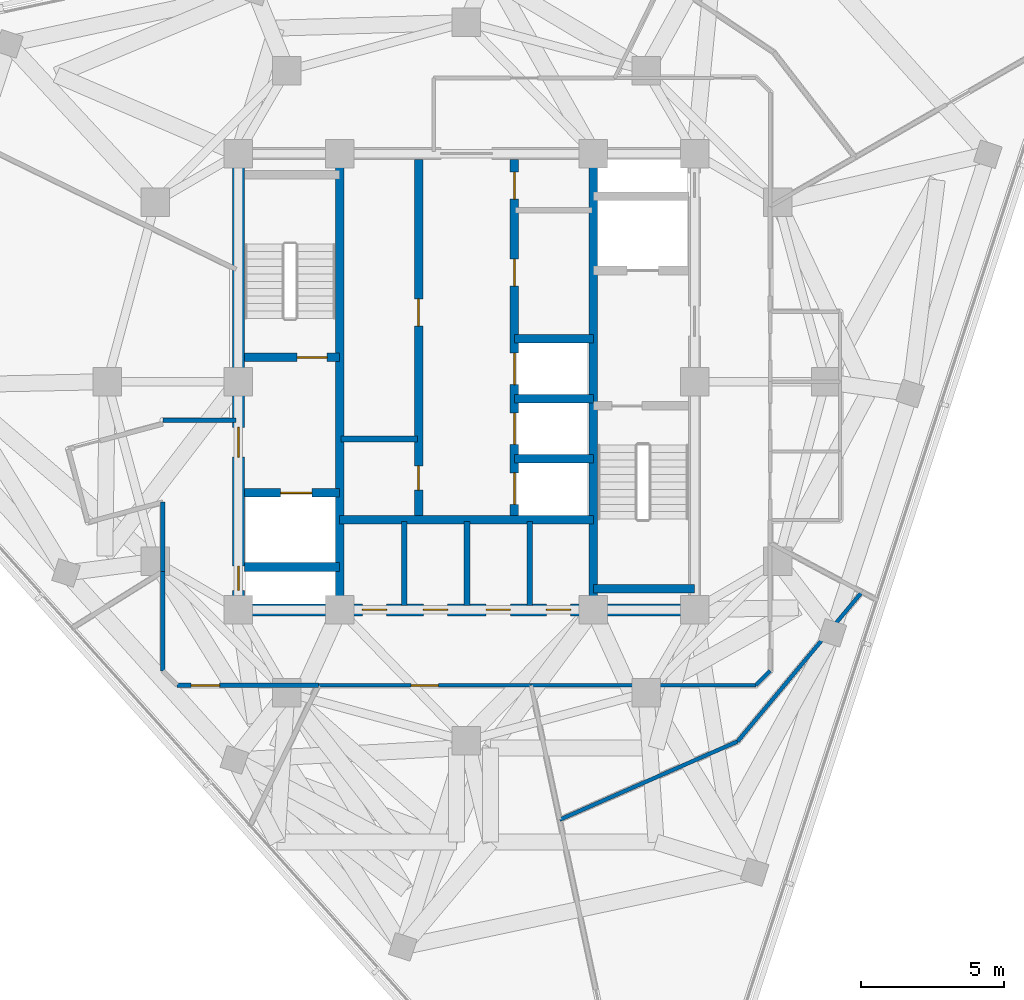
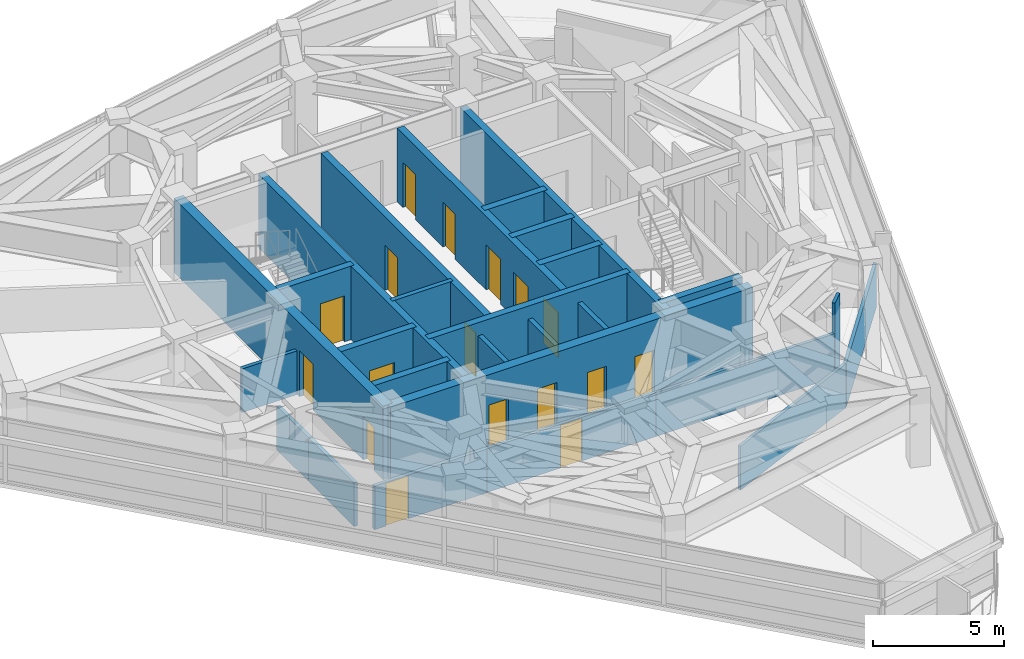
# One storey, part 8 of 15: 27 walls, 17 doors, 17 openings.
"""IFC4 building model written with IfcOpenShell, lengths in metres."""

from ifc_helpers import new_model, si_unit, direction, frame, frame_2d, origin, place, context, subcontext, project, spatial, rectangle, extrude, material, layer, layer_set, type_object, element, fill, save


model = new_model("IFC4")

# Units and contexts
model_context = context("Model", 3, precision=1e-05, world=origin(), true_north=direction((0.0, 1.0)))
body_context = subcontext(model_context, "Body", "Model", "MODEL_VIEW")
ifc_project = project(units=[si_unit("LENGTHUNIT", "METRE"), si_unit("AREAUNIT", "SQUARE_METRE"), si_unit("VOLUMEUNIT", "CUBIC_METRE"), si_unit("PLANEANGLEUNIT", "RADIAN"), si_unit("MASSUNIT", "GRAM", prefix="KILO")], contexts=[model_context])

# Site, building, storey
site_placement = place(None, origin())
site = spatial("IfcSite", under=ifc_project, at=site_placement, CompositionType="ELEMENT")
building_placement = place(site_placement, origin())
building = spatial("IfcBuilding", under=site, at=building_placement, Name="Terralouvre Media Tower", CompositionType="ELEMENT")
storey_placement = place(building_placement, frame((0.0, 0.0, 309.10009765625)))
storey = spatial("IfcBuildingStorey", under=building, at=storey_placement, Name="L80", CompositionType="ELEMENT", Elevation=309.10009765625)

# Walls
ifc_material_1 = material(Name="Concrete C50/60", Category="concrete")
ifc_layer_1 = layer(ifc_material_1, 0.300048828125, Name="Core Internal Shaft Wall CW-300")
ifc_layer_set_1 = layer_set([ifc_layer_1], Name="Concrete C50/60")
wall_type_1 = type_object("IfcWallType", Name="Core Internal Shaft Wall CW-300", PredefinedType="SHEAR", material=ifc_layer_set_1)
for number, where, z_axis, x_axis, name in (
    (1, (-4.449951171875, -7.7900390625, 0.0), (0.0, 0.0, 1.0), (0.0, 1.0, 0.0), "L80 Core Shaft Wall SPW"),
    (2, (4.449951171875, -7.7900390625, 0.0), (0.0, 0.0, 1.0), (0.0, 1.0, 0.0), "L80 Core Shaft Wall SPE"),
):
    element("IfcWall", number, at=place(storey_placement, frame(where, z_axis=z_axis, x_axis=x_axis)), inside=storey, type_object=wall_type_1, Name=name, PredefinedType="SHEAR", context=body_context, shape_type="SweptSolid", body=[
        extrude(rectangle(XDim=15.580078125, YDim=0.300048828125, at=frame_2d((7.7900390625, 0.0))), origin(), (0.0, 0.0, 1.0), 3.43994140625),
    ])

# Wall, opening, door
wall_1_placement = place(storey_placement, frame((-7.7900390625, 0.85009765625, 0.0), z_axis=(0.0, 0.0, 1.0), x_axis=(1.0, 0.0, 0.0)))
wall_1 = element("IfcWall", 3, at=wall_1_placement, inside=storey, type_object=wall_type_1, Name="L80 Core Shaft Wall ST1D", PredefinedType="SHEAR", context=body_context, shape_type="SweptSolid", body=[
    extrude(rectangle(XDim=3.340087890625, YDim=0.300048828125, at=frame_2d((1.669921875, 0.0))), origin(), (0.0, 0.0, 1.0), 3.43994140625),
])
opening_1_placement = place(wall_1_placement, frame((1.85009765625, 0.0, 0.0)))
opening_1 = element("IfcOpeningElement", 4, at=opening_1_placement, cuts=wall_1, Name="Opening FD-01-105X215", PredefinedType="OPENING", context=body_context, shape_type="SweptSolid", body=[
    extrude(rectangle(XDim=1.050048828125, YDim=2.14990234375, at=frame_2d((0.52490234375, 1.074951171875))), frame((0.0, 0.159912109375, 0.0), z_axis=(0.0, -1.0, 0.0), x_axis=(1.0, 0.0, 0.0)), (0.0, 0.0, 1.0), 0.320068359375),
])
ifc_material_2 = material(Name="Galvanised steel fire-resisting leaf", Category="steel")
door_type_1 = type_object("IfcDoorType", Name="Stair and Firefighting Lobby Fire Door FD-01 (1050x2150)", OperationType="NOTDEFINED", PredefinedType="DOOR", material=ifc_material_2)
door_1_placement = place(opening_1_placement, origin())
door_1 = element("IfcDoor", 5, at=door_1_placement, inside=storey, type_object=door_type_1, Name="L80 ST-01 Exit Stair Door", OperationType="SINGLE_SWING_LEFT", OverallHeight=2.14990234375, OverallWidth=1.050048828125, PredefinedType="DOOR", context=body_context, shape_type="SweptSolid", body=[
    extrude(rectangle(XDim=1.050048828125, YDim=2.14990234375, at=frame_2d((0.52490234375, 1.074951171875))), frame((0.0, 0.02490234375, 0.0), z_axis=(0.0, -1.0, 0.0), x_axis=(1.0, 0.0, 0.0)), (0.0, 0.0, 1.0), 0.050048828125),
])
fill(opening_1, door_1)

# Wall
wall_2_placement = place(storey_placement, frame((4.449951171875, -7.260009765625, 0.0), z_axis=(0.0, 0.0, 1.0), x_axis=(1.0, 0.0, 0.0)))
element("IfcWall", 6, at=wall_2_placement, inside=storey, type_object=wall_type_1, Name="L80 Core Shaft Wall ST2F", PredefinedType="SHEAR", context=body_context, shape_type="SweptSolid", body=[
    extrude(rectangle(XDim=3.550048828125, YDim=0.300048828125, at=frame_2d((1.77490234375, 0.0))), origin(), (0.0, 0.0, 1.0), 3.43994140625),
])

# Wall, opening, door
wall_3_placement = place(storey_placement, frame((-7.7900390625, -3.89990234375, 0.0), z_axis=(0.0, 0.0, 1.0), x_axis=(1.0, 0.0, 0.0)))
wall_3 = element("IfcWall", 7, at=wall_3_placement, inside=storey, type_object=wall_type_1, Name="L80 Core Shaft Wall FF1N", PredefinedType="SHEAR", context=body_context, shape_type="SweptSolid", body=[
    extrude(rectangle(XDim=3.340087890625, YDim=0.300048828125, at=frame_2d((1.669921875, 0.0))), origin(), (0.0, 0.0, 1.0), 3.43994140625),
])
opening_2_placement = place(wall_3_placement, frame((1.27001953125, 0.0, 0.0)))
opening_2 = element("IfcOpeningElement", 8, at=opening_2_placement, cuts=wall_3, Name="Opening LD-FF", PredefinedType="OPENING", context=body_context, shape_type="SweptSolid", body=[
    extrude(rectangle(XDim=1.10009765625, YDim=2.10009765625, at=frame_2d((0.550048828125, 1.050048828125))), frame((0.0, 0.159912109375, 0.0), z_axis=(0.0, -1.0, 0.0), x_axis=(1.0, 0.0, 0.0)), (0.0, 0.0, 1.0), 0.320068359375),
])
ifc_material_3 = material(Name="Stainless steel 316 handrail and balustrade", Category="steel")
door_type_2 = type_object("IfcDoorType", Name="Firefighting Lift Sliding Landing Door LD-FF", OperationType="SLIDING_TO_LEFT", PredefinedType="DOOR", material=ifc_material_3)
door_2_placement = place(opening_2_placement, origin())
door_2 = element("IfcDoor", 9, at=door_2_placement, inside=storey, type_object=door_type_2, Name="L80 Firefighting Lift FFL-01 Landing Door", OperationType="SLIDING_TO_LEFT", OverallHeight=2.10009765625, OverallWidth=1.10009765625, PredefinedType="DOOR", context=body_context, shape_type="SweptSolid", body=[
    extrude(rectangle(XDim=1.10009765625, YDim=2.10009765625, at=frame_2d((0.550048828125, 1.050048828125))), frame((0.0, 0.02490234375, 0.0), z_axis=(0.0, -1.0, 0.0), x_axis=(1.0, 0.0, 0.0)), (0.0, 0.0, 1.0), 0.050048828125),
])
fill(opening_2, door_2)

# Walls
wall_4_placement = place(storey_placement, frame((-7.7900390625, -6.5, 0.0), z_axis=(0.0, 0.0, 1.0), x_axis=(1.0, 0.0, 0.0)))
element("IfcWall", 10, at=wall_4_placement, inside=storey, type_object=wall_type_1, Name="L80 Core Shaft Wall FF1S", PredefinedType="SHEAR", context=body_context, shape_type="SweptSolid", body=[
    extrude(rectangle(XDim=3.340087890625, YDim=0.300048828125, at=frame_2d((1.669921875, 0.0))), origin(), (0.0, 0.0, 1.0), 3.43994140625),
])
wall_5_placement = place(storey_placement, frame((-4.449951171875, -4.85009765625, 0.0), z_axis=(0.0, 0.0, 1.0), x_axis=(1.0, 0.0, 0.0)))
element("IfcWall", 11, at=wall_5_placement, inside=storey, type_object=wall_type_1, Name="L80 Core Shaft Wall CSBN", PredefinedType="SHEAR", context=body_context, shape_type="SweptSolid", body=[
    extrude(rectangle(XDim=8.89990234375, YDim=0.300048828125, at=frame_2d((4.449951171875, 0.0))), origin(), (0.0, 0.0, 1.0), 3.43994140625),
])

# Wall, openings, doors
wall_6_placement = place(storey_placement, frame((-1.679931640625, -4.85009765625, 0.0), z_axis=(0.0, 0.0, 1.0), x_axis=(0.0, 1.0, 0.0)))
wall_6 = element("IfcWall", 12, at=wall_6_placement, inside=storey, type_object=wall_type_1, Name="L80 Core Shaft Wall LBW", PredefinedType="SHEAR", context=body_context, shape_type="SweptSolid", body=[
    extrude(rectangle(XDim=12.64013671875, YDim=0.300048828125, at=frame_2d((6.320068359375, 0.0))), origin(), (0.0, 0.0, 1.0), 3.43994140625),
])
opening_3_placement = place(wall_6_placement, frame((1.050048828125, 0.0, 0.0)))
opening_3 = element("IfcOpeningElement", 13, at=opening_3_placement, cuts=wall_6, Name="Opening TD-R1", PredefinedType="OPENING", context=body_context, shape_type="SweptSolid", body=[
    extrude(rectangle(XDim=0.85009765625, YDim=2.02001953125, at=frame_2d((0.425048828125, 1.010009765625))), frame((0.0, 0.159912109375, 0.0), z_axis=(0.0, -1.0, 0.0), x_axis=(1.0, 0.0, 0.0)), (0.0, 0.0, 1.0), 0.320068359375),
])
opening_4_placement = place(wall_6_placement, frame((6.800048828125, 0.0, 0.0)))
opening_4 = element("IfcOpeningElement", 14, at=opening_4_placement, cuts=wall_6, Name="Opening FD-02-95X210", PredefinedType="OPENING", context=body_context, shape_type="SweptSolid", body=[
    extrude(rectangle(XDim=0.949951171875, YDim=2.10009765625, at=frame_2d((0.47509765625, 1.050048828125))), frame((0.0, 0.159912109375, 0.0), z_axis=(0.0, -1.0, 0.0), x_axis=(1.0, 0.0, 0.0)), (0.0, 0.0, 1.0), 0.320068359375),
])
ifc_material_4 = material(Name="Galvanised steel fire-resisting leaf", Category="steel")
door_type_3 = type_object("IfcDoorType", Name="Plant and Riser Fire Door FD-02 (950x2100)", OperationType="NOTDEFINED", PredefinedType="DOOR", material=ifc_material_4)
door_3_placement = place(opening_4_placement, origin())
door_3 = element("IfcDoor", 15, at=door_3_placement, inside=storey, type_object=door_type_3, Name="L80 Core Patch Rack Plant Door", OperationType="SINGLE_SWING_RIGHT", OverallHeight=2.10009765625, OverallWidth=0.949951171875, PredefinedType="DOOR", context=body_context, shape_type="SweptSolid", body=[
    extrude(rectangle(XDim=0.949951171875, YDim=2.10009765625, at=frame_2d((0.47509765625, 1.050048828125))), frame((0.0, 0.02490234375, 0.0), z_axis=(0.0, -1.0, 0.0), x_axis=(1.0, 0.0, 0.0)), (0.0, 0.0, 1.0), 0.050048828125),
])
fill(opening_4, door_3)
ifc_material_5 = material(Name="Galvanised steel fire-resisting leaf", Category="steel")
door_type_4 = type_object("IfcDoorType", Name="Riser Inspection Access Trapdoor TD-R1", OperationType="NOTDEFINED", PredefinedType="TRAPDOOR", material=ifc_material_5)
door_4_placement = place(opening_3_placement, origin())
door_4 = element("IfcDoor", 16, at=door_4_placement, inside=storey, type_object=door_type_4, Name="L80 Core Cleaners Store Door", OperationType="SINGLE_SWING_LEFT", OverallHeight=2.02001953125, OverallWidth=0.85009765625, PredefinedType="TRAPDOOR", context=body_context, shape_type="SweptSolid", body=[
    extrude(rectangle(XDim=0.85009765625, YDim=2.02001953125, at=frame_2d((0.425048828125, 1.010009765625))), frame((0.0, 0.02490234375, 0.0), z_axis=(0.0, -1.0, 0.0), x_axis=(1.0, 0.0, 0.0)), (0.0, 0.0, 1.0), 0.050048828125),
])
fill(opening_3, door_4)

wall_7_placement = place(storey_placement, frame((1.679931640625, -4.85009765625, 0.0), z_axis=(0.0, 0.0, 1.0), x_axis=(0.0, 1.0, 0.0)))
wall_7 = element("IfcWall", 17, at=wall_7_placement, inside=storey, type_object=wall_type_1, Name="L80 Core Shaft Wall LBE", PredefinedType="SHEAR", context=body_context, shape_type="SweptSolid", body=[
    extrude(rectangle(XDim=12.64013671875, YDim=0.300048828125, at=frame_2d((6.320068359375, 0.0))), origin(), (0.0, 0.0, 1.0), 3.43994140625),
])
opening_5_placement = place(wall_7_placement, frame((0.550048828125, 0.0, 0.0)))
opening_5 = element("IfcOpeningElement", 18, at=opening_5_placement, cuts=wall_7, Name="Opening LD-PL", PredefinedType="OPENING", context=body_context, shape_type="SweptSolid", body=[
    extrude(rectangle(XDim=1.10009765625, YDim=2.10009765625, at=frame_2d((0.550048828125, 1.050048828125))), frame((0.0, 0.159912109375, 0.0), z_axis=(0.0, -1.0, 0.0), x_axis=(1.0, 0.0, 0.0)), (0.0, 0.0, 1.0), 0.320068359375),
])
opening_6_placement = place(wall_7_placement, frame((2.64990234375, 0.0, 0.0)))
opening_6 = element("IfcOpeningElement", 19, at=opening_6_placement, cuts=wall_7, Name="Opening LD-PL", PredefinedType="OPENING", context=body_context, shape_type="SweptSolid", body=[
    extrude(rectangle(XDim=1.10009765625, YDim=2.10009765625, at=frame_2d((0.550048828125, 1.050048828125))), frame((0.0, 0.159912109375, 0.0), z_axis=(0.0, -1.0, 0.0), x_axis=(1.0, 0.0, 0.0)), (0.0, 0.0, 1.0), 0.320068359375),
])
opening_7_placement = place(wall_7_placement, frame((4.75, 0.0, 0.0)))
opening_7 = element("IfcOpeningElement", 20, at=opening_7_placement, cuts=wall_7, Name="Opening LD-PL", PredefinedType="OPENING", context=body_context, shape_type="SweptSolid", body=[
    extrude(rectangle(XDim=1.10009765625, YDim=2.10009765625, at=frame_2d((0.550048828125, 1.050048828125))), frame((0.0, 0.159912109375, 0.0), z_axis=(0.0, -1.0, 0.0), x_axis=(1.0, 0.0, 0.0)), (0.0, 0.0, 1.0), 0.320068359375),
])
opening_8_placement = place(wall_7_placement, frame((8.199951171875, 0.0, 0.0)))
opening_8 = element("IfcOpeningElement", 21, at=opening_8_placement, cuts=wall_7, Name="Opening FD-02-95X210", PredefinedType="OPENING", context=body_context, shape_type="SweptSolid", body=[
    extrude(rectangle(XDim=0.949951171875, YDim=2.10009765625, at=frame_2d((0.47509765625, 1.050048828125))), frame((0.0, 0.159912109375, 0.0), z_axis=(0.0, -1.0, 0.0), x_axis=(1.0, 0.0, 0.0)), (0.0, 0.0, 1.0), 0.320068359375),
])
opening_9_placement = place(wall_7_placement, frame((11.25, 0.0, 0.0)))
opening_9 = element("IfcOpeningElement", 22, at=opening_9_placement, cuts=wall_7, Name="Opening SD-02", PredefinedType="OPENING", context=body_context, shape_type="SweptSolid", body=[
    extrude(rectangle(XDim=0.949951171875, YDim=2.10009765625, at=frame_2d((0.47509765625, 1.050048828125))), frame((0.0, 0.159912109375, 0.0), z_axis=(0.0, -1.0, 0.0), x_axis=(1.0, 0.0, 0.0)), (0.0, 0.0, 1.0), 0.320068359375),
])
ifc_material_6 = material(Name="Galvanised steel fire-resisting leaf", Category="steel")
door_type_5 = type_object("IfcDoorType", Name="Core Service Sliding Fire Door SD-02", OperationType="SLIDING_TO_LEFT", PredefinedType="DOOR", material=ifc_material_6)
door_5_placement = place(opening_9_placement, origin())
door_5 = element("IfcDoor", 23, at=door_5_placement, inside=storey, type_object=door_type_5, Name="L80 Core Hospitality Store Door", OperationType="SLIDING_TO_LEFT", OverallHeight=2.10009765625, OverallWidth=0.949951171875, PredefinedType="DOOR", context=body_context, shape_type="SweptSolid", body=[
    extrude(rectangle(XDim=0.949951171875, YDim=2.10009765625, at=frame_2d((0.47509765625, 1.050048828125))), frame((0.0, 0.02490234375, 0.0), z_axis=(0.0, -1.0, 0.0), x_axis=(1.0, 0.0, 0.0)), (0.0, 0.0, 1.0), 0.050048828125),
])
fill(opening_9, door_5)
ifc_material_7 = material(Name="Stainless steel 316 handrail and balustrade", Category="steel")
door_type_6 = type_object("IfcDoorType", Name="Passenger Lift Sliding Landing Door LD-PL", OperationType="SLIDING_TO_LEFT", PredefinedType="DOOR", material=ifc_material_7)
door_6_placement = place(opening_5_placement, origin())
door_6 = element("IfcDoor", 24, at=door_6_placement, inside=storey, type_object=door_type_6, Name="L80 High-Rise Lift PL-H1 Landing Door", OperationType="SLIDING_TO_LEFT", OverallHeight=2.10009765625, OverallWidth=1.10009765625, PredefinedType="DOOR", context=body_context, shape_type="SweptSolid", body=[
    extrude(rectangle(XDim=1.10009765625, YDim=2.10009765625, at=frame_2d((0.550048828125, 1.050048828125))), frame((0.0, 0.02490234375, 0.0), z_axis=(0.0, -1.0, 0.0), x_axis=(1.0, 0.0, 0.0)), (0.0, 0.0, 1.0), 0.050048828125),
])
fill(opening_5, door_6)
door_7_placement = place(opening_6_placement, origin())
door_7 = element("IfcDoor", 25, at=door_7_placement, inside=storey, type_object=door_type_6, Name="L80 High-Rise Lift PL-H2 Landing Door", OperationType="SLIDING_TO_LEFT", OverallHeight=2.10009765625, OverallWidth=1.10009765625, PredefinedType="DOOR", context=body_context, shape_type="SweptSolid", body=[
    extrude(rectangle(XDim=1.10009765625, YDim=2.10009765625, at=frame_2d((0.550048828125, 1.050048828125))), frame((0.0, 0.02490234375, 0.0), z_axis=(0.0, -1.0, 0.0), x_axis=(1.0, 0.0, 0.0)), (0.0, 0.0, 1.0), 0.050048828125),
])
fill(opening_6, door_7)
door_8_placement = place(opening_7_placement, origin())
door_8 = element("IfcDoor", 26, at=door_8_placement, inside=storey, type_object=door_type_6, Name="L80 High-Rise Lift PL-H3 Landing Door", OperationType="SLIDING_TO_LEFT", OverallHeight=2.10009765625, OverallWidth=1.10009765625, PredefinedType="DOOR", context=body_context, shape_type="SweptSolid", body=[
    extrude(rectangle(XDim=1.10009765625, YDim=2.10009765625, at=frame_2d((0.550048828125, 1.050048828125))), frame((0.0, 0.02490234375, 0.0), z_axis=(0.0, -1.0, 0.0), x_axis=(1.0, 0.0, 0.0)), (0.0, 0.0, 1.0), 0.050048828125),
])
fill(opening_7, door_8)
door_9_placement = place(opening_8_placement, origin())
door_9 = element("IfcDoor", 27, at=door_9_placement, inside=storey, type_object=door_type_3, Name="L80 Core Telemetry Plant Door", OperationType="SINGLE_SWING_RIGHT", OverallHeight=2.10009765625, OverallWidth=0.949951171875, PredefinedType="DOOR", context=body_context, shape_type="SweptSolid", body=[
    extrude(rectangle(XDim=0.949951171875, YDim=2.10009765625, at=frame_2d((0.47509765625, 1.050048828125))), frame((0.0, 0.02490234375, 0.0), z_axis=(0.0, -1.0, 0.0), x_axis=(1.0, 0.0, 0.0)), (0.0, 0.0, 1.0), 0.050048828125),
])
fill(opening_8, door_9)

# Walls
for number, where, z_axis, x_axis, name in (
    (28, (1.679931640625, 1.5, 0.0), (0.0, 0.0, 1.0), (1.0, 0.0, 0.0), "L80 Core Shaft Wall PLMBOT"),
    (29, (1.679931640625, -2.699951171875, 0.0), (0.0, 0.0, 1.0), (1.0, 0.0, 0.0), "L80 Core Shaft Wall PLHD1"),
    (30, (1.679931640625, -0.60009765625, 0.0), (0.0, 0.0, 1.0), (1.0, 0.0, 0.0), "L80 Core Shaft Wall PLHD2"),
):
    element("IfcWall", number, at=place(storey_placement, frame(where, z_axis=z_axis, x_axis=x_axis)), inside=storey, type_object=wall_type_1, Name=name, PredefinedType="SHEAR", context=body_context, shape_type="SweptSolid", body=[
        extrude(rectangle(XDim=2.77001953125, YDim=0.300048828125, at=frame_2d((1.385009765625, 0.0))), origin(), (0.0, 0.0, 1.0), 3.43994140625),
    ])

# Wall, openings, doors
ifc_material_8 = material(Name="Concrete C60/75", Category="concrete")
ifc_layer_2 = layer(ifc_material_8, 0.419921875, Name="Core Reinforced Concrete Shear Wall CW-420")
ifc_layer_set_2 = layer_set([ifc_layer_2], Name="Concrete C60/75")
wall_type_2 = type_object("IfcWallType", Name="Core Reinforced Concrete Shear Wall CW-420", PredefinedType="SHEAR", material=ifc_layer_set_2)
wall_8_placement = place(storey_placement, frame((-8.0, -8.0, 0.0), z_axis=(0.0, 0.0, 1.0), x_axis=(0.0, 1.0, 0.0)))
wall_8 = element("IfcWall", 31, at=wall_8_placement, inside=storey, type_object=wall_type_2, Name="L80 W Core Shear Wall", PredefinedType="SHEAR", context=body_context, shape_type="SweptSolid", body=[
    extrude(rectangle(XDim=16.0, YDim=0.419921875, at=frame_2d((8.0, 0.0))), origin(), (0.0, 0.0, 1.0), 3.43994140625),
])
opening_10_placement = place(wall_8_placement, frame((0.68115234375, 0.0, 0.0)))
opening_10 = element("IfcOpeningElement", 32, at=opening_10_placement, cuts=wall_8, Name="Opening TD-R1", PredefinedType="OPENING", context=body_context, shape_type="SweptSolid", body=[
    extrude(rectangle(XDim=0.85009765625, YDim=2.02001953125, at=frame_2d((0.425048828125, 1.010009765625))), frame((0.0, 0.219970703125, 0.0), z_axis=(0.0, -1.0, 0.0), x_axis=(1.0, 0.0, 0.0)), (0.0, 0.0, 1.0), 0.43994140625),
])
opening_11_placement = place(wall_8_placement, frame((5.35009765625, 0.0, 0.0)))
opening_11 = element("IfcOpeningElement", 33, at=opening_11_placement, cuts=wall_8, Name="Opening FD-01-105X215", PredefinedType="OPENING", context=body_context, shape_type="SweptSolid", body=[
    extrude(rectangle(XDim=1.050048828125, YDim=2.14990234375, at=frame_2d((0.52490234375, 1.074951171875))), frame((0.0, 0.219970703125, 0.0), z_axis=(0.0, -1.0, 0.0), x_axis=(1.0, 0.0, 0.0)), (0.0, 0.0, 1.0), 0.43994140625),
])
door_10_placement = place(opening_10_placement, origin())
door_10 = element("IfcDoor", 34, at=door_10_placement, inside=storey, type_object=door_type_4, Name="L80 Wet Riser Access Trapdoor", OperationType="SINGLE_SWING_LEFT", OverallHeight=2.02001953125, OverallWidth=0.85009765625, PredefinedType="TRAPDOOR", context=body_context, shape_type="SweptSolid", body=[
    extrude(rectangle(XDim=0.85009765625, YDim=2.02001953125, at=frame_2d((0.425048828125, 1.010009765625))), frame((0.0, 0.02490234375, 0.0), z_axis=(0.0, -1.0, 0.0), x_axis=(1.0, 0.0, 0.0)), (0.0, 0.0, 1.0), 0.050048828125),
])
fill(opening_10, door_10)
door_11_placement = place(opening_11_placement, origin())
door_11 = element("IfcDoor", 35, at=door_11_placement, inside=storey, type_object=door_type_1, Name="L80 West Firefighting Lobby Entry Door", OperationType="SINGLE_SWING_RIGHT", OverallHeight=2.14990234375, OverallWidth=1.050048828125, PredefinedType="DOOR", context=body_context, shape_type="SweptSolid", body=[
    extrude(rectangle(XDim=1.050048828125, YDim=2.14990234375, at=frame_2d((0.52490234375, 1.074951171875))), frame((0.0, 0.02490234375, 0.0), z_axis=(0.0, -1.0, 0.0), x_axis=(1.0, 0.0, 0.0)), (0.0, 0.0, 1.0), 0.050048828125),
])
fill(opening_11, door_11)

wall_9_placement = place(storey_placement, frame((-8.0, -8.0, 0.0), z_axis=(0.0, 0.0, 1.0), x_axis=(1.0, 0.0, 0.0)))
wall_9 = element("IfcWall", 36, at=wall_9_placement, inside=storey, type_object=wall_type_2, Name="L80 S Core Shear Wall", PredefinedType="SHEAR", context=body_context, shape_type="SweptSolid", body=[
    extrude(rectangle(XDim=16.0, YDim=0.419921875, at=frame_2d((8.0, 0.0))), origin(), (0.0, 0.0, 1.0), 3.43994140625),
])
opening_12_placement = place(wall_9_placement, frame((4.35009765625, 0.0, 0.0)))
opening_12 = element("IfcOpeningElement", 37, at=opening_12_placement, cuts=wall_9, Name="Opening TD-R1", PredefinedType="OPENING", context=body_context, shape_type="SweptSolid", body=[
    extrude(rectangle(XDim=0.85009765625, YDim=2.02001953125, at=frame_2d((0.425048828125, 1.010009765625))), frame((0.0, 0.219970703125, 0.0), z_axis=(0.0, -1.0, 0.0), x_axis=(1.0, 0.0, 0.0)), (0.0, 0.0, 1.0), 0.43994140625),
])
opening_13_placement = place(wall_9_placement, frame((6.489990234375, 0.0, 0.0)))
opening_13 = element("IfcOpeningElement", 38, at=opening_13_placement, cuts=wall_9, Name="Opening TD-R1", PredefinedType="OPENING", context=body_context, shape_type="SweptSolid", body=[
    extrude(rectangle(XDim=0.85009765625, YDim=2.02001953125, at=frame_2d((0.425048828125, 1.010009765625))), frame((0.0, 0.219970703125, 0.0), z_axis=(0.0, -1.0, 0.0), x_axis=(1.0, 0.0, 0.0)), (0.0, 0.0, 1.0), 0.43994140625),
])
opening_14_placement = place(wall_9_placement, frame((8.68994140625, 0.0, 0.0)))
opening_14 = element("IfcOpeningElement", 39, at=opening_14_placement, cuts=wall_9, Name="Opening TD-R1", PredefinedType="OPENING", context=body_context, shape_type="SweptSolid", body=[
    extrude(rectangle(XDim=0.85009765625, YDim=2.02001953125, at=frame_2d((0.425048828125, 1.010009765625))), frame((0.0, 0.219970703125, 0.0), z_axis=(0.0, -1.0, 0.0), x_axis=(1.0, 0.0, 0.0)), (0.0, 0.0, 1.0), 0.43994140625),
])
opening_15_placement = place(wall_9_placement, frame((10.800048828125, 0.0, 0.0)))
opening_15 = element("IfcOpeningElement", 40, at=opening_15_placement, cuts=wall_9, Name="Opening TD-R1", PredefinedType="OPENING", context=body_context, shape_type="SweptSolid", body=[
    extrude(rectangle(XDim=0.85009765625, YDim=2.02001953125, at=frame_2d((0.425048828125, 1.010009765625))), frame((0.0, 0.219970703125, 0.0), z_axis=(0.0, -1.0, 0.0), x_axis=(1.0, 0.0, 0.0)), (0.0, 0.0, 1.0), 0.43994140625),
])
door_12_placement = place(opening_12_placement, origin())
door_12 = element("IfcDoor", 41, at=door_12_placement, inside=storey, type_object=door_type_4, Name="L80 Core Battery Plant Door", OperationType="SINGLE_SWING_LEFT", OverallHeight=2.02001953125, OverallWidth=0.85009765625, PredefinedType="TRAPDOOR", context=body_context, shape_type="SweptSolid", body=[
    extrude(rectangle(XDim=0.85009765625, YDim=2.02001953125, at=frame_2d((0.425048828125, 1.010009765625))), frame((0.0, 0.02490234375, 0.0), z_axis=(0.0, -1.0, 0.0), x_axis=(1.0, 0.0, 0.0)), (0.0, 0.0, 1.0), 0.050048828125),
])
fill(opening_12, door_12)
door_13_placement = place(opening_13_placement, origin())
door_13 = element("IfcDoor", 42, at=door_13_placement, inside=storey, type_object=door_type_4, Name="L80 Core IT Patch Plant Door", OperationType="SINGLE_SWING_RIGHT", OverallHeight=2.02001953125, OverallWidth=0.85009765625, PredefinedType="TRAPDOOR", context=body_context, shape_type="SweptSolid", body=[
    extrude(rectangle(XDim=0.85009765625, YDim=2.02001953125, at=frame_2d((0.425048828125, 1.010009765625))), frame((0.0, 0.02490234375, 0.0), z_axis=(0.0, -1.0, 0.0), x_axis=(1.0, 0.0, 0.0)), (0.0, 0.0, 1.0), 0.050048828125),
])
fill(opening_13, door_13)
door_14_placement = place(opening_14_placement, origin())
door_14 = element("IfcDoor", 43, at=door_14_placement, inside=storey, type_object=door_type_4, Name="L80 Core Housekeeping Store Door", OperationType="SINGLE_SWING_LEFT", OverallHeight=2.02001953125, OverallWidth=0.85009765625, PredefinedType="TRAPDOOR", context=body_context, shape_type="SweptSolid", body=[
    extrude(rectangle(XDim=0.85009765625, YDim=2.02001953125, at=frame_2d((0.425048828125, 1.010009765625))), frame((0.0, 0.02490234375, 0.0), z_axis=(0.0, -1.0, 0.0), x_axis=(1.0, 0.0, 0.0)), (0.0, 0.0, 1.0), 0.050048828125),
])
fill(opening_14, door_14)
door_15_placement = place(opening_15_placement, origin())
door_15 = element("IfcDoor", 44, at=door_15_placement, inside=storey, type_object=door_type_4, Name="L80 Core Smoke Damper Plant Door", OperationType="SINGLE_SWING_RIGHT", OverallHeight=2.02001953125, OverallWidth=0.85009765625, PredefinedType="TRAPDOOR", context=body_context, shape_type="SweptSolid", body=[
    extrude(rectangle(XDim=0.85009765625, YDim=2.02001953125, at=frame_2d((0.425048828125, 1.010009765625))), frame((0.0, 0.02490234375, 0.0), z_axis=(0.0, -1.0, 0.0), x_axis=(1.0, 0.0, 0.0)), (0.0, 0.0, 1.0), 0.050048828125),
])
fill(opening_15, door_15)

# Walls
ifc_material_9 = material(Name="Fire-rated gypsum board drywall partition")
ifc_layer_3 = layer(ifc_material_9, 0.199951171875, Name="Fire-Rated Shaft and Lobby Partition FW-200")
ifc_layer_set_3 = layer_set([ifc_layer_3], Name="Fire-rated gypsum board drywall partition")
wall_type_3 = type_object("IfcWallType", Name="Fire-Rated Shaft and Lobby Partition FW-200", PredefinedType="SOLIDWALL", material=ifc_layer_set_3)
for number, where, z_axis, x_axis, name in (
    (45, (-2.179931640625, -7.85009765625, 0.0), (0.0, 0.0, 1.0), (0.0, 1.0, 0.0), "L80 Core Service Bay Partition 1"),
    (46, (0.02001953125, -7.85009765625, 0.0), (0.0, 0.0, 1.0), (0.0, 1.0, 0.0), "L80 Core Service Bay Partition 2"),
    (47, (2.219970703125, -7.85009765625, 0.0), (0.0, 0.0, 1.0), (0.0, 1.0, 0.0), "L80 Core Service Bay Partition 3"),
):
    element("IfcWall", number, at=place(storey_placement, frame(where, z_axis=z_axis, x_axis=x_axis)), inside=storey, type_object=wall_type_3, Name=name, PredefinedType="SOLIDWALL", context=body_context, shape_type="SweptSolid", body=[
        extrude(rectangle(XDim=2.9501953125, YDim=0.199951171875, at=frame_2d((1.47509765625, 0.0))), origin(), (0.0, 0.0, 1.0), 2.824951171875),
    ])
wall_10_placement = place(storey_placement, frame((-4.39990234375, -2.010009765625, 0.0), z_axis=(0.0, 0.0, 1.0), x_axis=(1.0, 0.0, 0.0)))
element("IfcWall", 48, at=wall_10_placement, inside=storey, type_object=wall_type_3, Name="L80 Core West Sub-Partition 1", PredefinedType="SOLIDWALL", context=body_context, shape_type="SweptSolid", body=[
    extrude(rectangle(XDim=2.679931640625, YDim=0.199951171875, at=frame_2d((1.33984375, 0.0))), origin(), (0.0, 0.0, 1.0), 3.43994140625),
])

# Wall, opening, door
ifc_material_10 = material(Name="Fire-rated gypsum board drywall partition")
ifc_layer_4 = layer(ifc_material_10, 0.135009765625, Name="Newsroom Acoustic Partition PT-135")
ifc_layer_set_4 = layer_set([ifc_layer_4], Name="Fire-rated gypsum board drywall partition")
wall_type_4 = type_object("IfcWallType", Name="Newsroom Acoustic Partition PT-135", PredefinedType="PARTITIONING", material=ifc_layer_set_4)
wall_11_placement = place(storey_placement, frame((-5.194091796875, -10.64990234375, 0.0), z_axis=(0.0, 0.0, 1.0), x_axis=(1.0, 0.0, 0.0)))
wall_11 = element("IfcWall", 49, at=wall_11_placement, inside=storey, type_object=wall_type_4, Name="L80 Interior Partition 009", PredefinedType="PARTITIONING", context=body_context, shape_type="SweptSolid", body=[
    extrude(rectangle(XDim=7.4580078125, YDim=0.135009765625, at=frame_2d((3.72900390625, 0.0))), origin(), (0.0, 0.0, 1.0), 2.039794921875),
])
opening_16_placement = place(wall_11_placement, frame((3.25390625, 0.0, 0.0)))
opening_16 = element("IfcOpeningElement", 50, at=opening_16_placement, cuts=wall_11, Name="Opening ID-02", PredefinedType="OPENING", context=body_context, shape_type="SweptSolid", body=[
    extrude(rectangle(XDim=0.949951171875, YDim=2.0, at=frame_2d((0.47509765625, 1.0))), frame((0.0, 0.077392578125, 0.0), z_axis=(0.0, -1.0, 0.0), x_axis=(1.0, 0.0, 0.0)), (0.0, 0.0, 1.0), 0.155029296875),
])
ifc_material_11 = material(Name="Engineered hardwood acoustic timber leaf", Category="wood")
door_type_7 = type_object("IfcDoorType", Name="Office and Meeting Room Door ID-02", OperationType="NOTDEFINED", PredefinedType="DOOR", material=ifc_material_11)
door_16_placement = place(opening_16_placement, origin())
door_16 = element("IfcDoor", 51, at=door_16_placement, inside=storey, type_object=door_type_7, Name="L80 Foley Sound Creative Workshop 3 Door", OperationType="SINGLE_SWING_RIGHT", OverallHeight=2.0, OverallWidth=0.949951171875, PredefinedType="DOOR", context=body_context, shape_type="SweptSolid", body=[
    extrude(rectangle(XDim=0.949951171875, YDim=2.0, at=frame_2d((0.47509765625, 1.0))), frame((0.0, 0.02490234375, 0.0), z_axis=(0.0, -1.0, 0.0), x_axis=(1.0, 0.0, 0.0)), (0.0, 0.0, 1.0), 0.050048828125),
])
fill(opening_16, door_16)

# Walls
wall_12_placement = place(storey_placement, frame((2.263916015625, -10.64990234375, 0.0), z_axis=(0.0, 0.0, 1.0), x_axis=(1.0, 0.0, 0.0)))
element("IfcWall", 52, at=wall_12_placement, inside=storey, type_object=wall_type_4, Name="L80 Interior Partition 010", PredefinedType="PARTITIONING", context=body_context, shape_type="SweptSolid", body=[
    extrude(rectangle(XDim=7.885986328125, YDim=0.135009765625, at=frame_2d((3.94287109375, 0.0))), origin(), (0.0, 0.0, 1.0), 2.039794921875),
])
wall_13_placement = place(storey_placement, frame((10.14990234375, -10.64990234375, 0.0), z_axis=(0.0, 0.0, 1.0), x_axis=(0.707106781187, 0.707106781187, 0.0)))
element("IfcWall", 53, at=wall_13_placement, inside=storey, type_object=wall_type_4, Name="L80 Interior Partition 011", PredefinedType="PARTITIONING", context=body_context, shape_type="SweptSolid", body=[
    extrude(rectangle(XDim=0.70703125, YDim=0.135009765625, at=frame_2d((0.353515625, 0.0))), origin(), (0.0, 0.0, 1.0), 3.43994140625),
])
wall_14_placement = place(storey_placement, frame((13.8701171875, -7.375, 0.0), z_axis=(0.0, 0.0, 1.0), x_axis=(-0.63949044568, -0.768799043888, 0.0)))
element("IfcWall", 54, at=wall_14_placement, inside=storey, type_object=wall_type_4, Name="L80 Interior Partition 028", PredefinedType="PARTITIONING", context=body_context, shape_type="SweptSolid", body=[
    extrude(rectangle(XDim=6.819580078125, YDim=0.135009765625, at=frame_2d((3.40966796875, 0.0))), origin(), (0.0, 0.0, 1.0), 2.02978515625),
])
wall_15_placement = place(storey_placement, frame((9.509033203125, -12.617919921875, 0.0), z_axis=(0.0, 0.0, 1.0), x_axis=(-0.915305003879, -0.402761405641, 0.0)))
element("IfcWall", 55, at=wall_15_placement, inside=storey, type_object=wall_type_4, Name="L80 Interior Partition 029", PredefinedType="PARTITIONING", context=body_context, shape_type="SweptSolid", body=[
    extrude(rectangle(XDim=6.820556640625, YDim=0.135009765625, at=frame_2d((3.41015625, 0.0))), origin(), (0.0, 0.0, 1.0), 2.039794921875),
])
ifc_material_12 = material(Name="Fire-rated gypsum board drywall partition")
ifc_layer_5 = layer(ifc_material_12, 0.159912109375, Name="Studio Acoustic Rated Partition PT-160")
ifc_layer_set_5 = layer_set([ifc_layer_5], Name="Fire-rated gypsum board drywall partition")
wall_type_5 = type_object("IfcWallType", Name="Studio Acoustic Rated Partition PT-160", PredefinedType="PARTITIONING", material=ifc_layer_set_5)
wall_16_placement = place(storey_placement, frame((-8.080078125, -1.35009765625, 0.0), z_axis=(0.0, 0.0, 1.0), x_axis=(-1.0, 0.0, 0.0)))
element("IfcWall", 56, at=wall_16_placement, inside=storey, type_object=wall_type_5, Name="L80 Interior Partition 001", PredefinedType="PARTITIONING", context=body_context, shape_type="SweptSolid", body=[
    extrude(rectangle(XDim=2.56982421875, YDim=0.159912109375, at=frame_2d((1.284912109375, 0.0))), origin(), (0.0, 0.0, 1.0), 2.039794921875),
])
wall_17_placement = place(storey_placement, frame((-10.64990234375, -4.22509765625, 0.0), z_axis=(0.0, 0.0, 1.0), x_axis=(0.0, -1.0, 0.0)))
element("IfcWall", 57, at=wall_17_placement, inside=storey, type_object=wall_type_5, Name="L80 Interior Partition 005", PredefinedType="PARTITIONING", context=body_context, shape_type="SweptSolid", body=[
    extrude(rectangle(XDim=2.429931640625, YDim=0.159912109375, at=frame_2d((1.21484375, 0.0))), origin(), (0.0, 0.0, 1.0), 2.039794921875),
])
wall_18_placement = place(storey_placement, frame((-10.64990234375, -6.655029296875, 0.0), z_axis=(0.0, 0.0, 1.0), x_axis=(0.0, -1.0, 0.0)))
element("IfcWall", 58, at=wall_18_placement, inside=storey, type_object=wall_type_5, Name="L80 Interior Partition 006", PredefinedType="PARTITIONING", context=body_context, shape_type="SweptSolid", body=[
    extrude(rectangle(XDim=3.494873046875, YDim=0.159912109375, at=frame_2d((1.74755859375, 0.0))), origin(), (0.0, 0.0, 1.0), 2.039794921875),
])

# Wall, opening, door
wall_19_placement = place(storey_placement, frame((-10.14990234375, -10.64990234375, 0.0), z_axis=(0.0, 0.0, 1.0), x_axis=(1.0, 0.0, 0.0)))
wall_19 = element("IfcWall", 59, at=wall_19_placement, inside=storey, type_object=wall_type_5, Name="L80 Interior Partition 008", PredefinedType="PARTITIONING", context=body_context, shape_type="SweptSolid", body=[
    extrude(rectangle(XDim=4.955810546875, YDim=0.159912109375, at=frame_2d((2.47802734375, 0.0))), origin(), (0.0, 0.0, 1.0), 2.039794921875),
])
opening_17_placement = place(wall_19_placement, frame((0.4912109375, 0.0, 0.0)))
opening_17 = element("IfcOpeningElement", 60, at=opening_17_placement, cuts=wall_19, Name="Opening ID-01", PredefinedType="OPENING", context=body_context, shape_type="SweptSolid", body=[
    extrude(rectangle(XDim=1.0, YDim=2.0, at=frame_2d((0.5, 1.0))), frame((0.0, 0.08984375, 0.0), z_axis=(0.0, -1.0, 0.0), x_axis=(1.0, 0.0, 0.0)), (0.0, 0.0, 1.0), 0.179931640625),
])
ifc_material_13 = material(Name="Engineered hardwood acoustic timber leaf", Category="wood")
door_type_8 = type_object("IfcDoorType", Name="Broadcast Studio Acoustic Single Door ID-01", OperationType="NOTDEFINED", PredefinedType="DOOR", material=ifc_material_13)
door_17_placement = place(opening_17_placement, origin())
door_17 = element("IfcDoor", 61, at=door_17_placement, inside=storey, type_object=door_type_8, Name="L80 Radio Continuity Control Room 2 Door", OperationType="SINGLE_SWING_LEFT", OverallHeight=2.0, OverallWidth=1.0, PredefinedType="DOOR", context=body_context, shape_type="SweptSolid", body=[
    extrude(rectangle(XDim=1.0, YDim=2.0, at=frame_2d((0.5, 1.0))), frame((0.0, 0.02490234375, 0.0), z_axis=(0.0, -1.0, 0.0), x_axis=(1.0, 0.0, 0.0)), (0.0, 0.0, 1.0), 0.050048828125),
])
fill(opening_17, door_17)

save(model, "model.ifc")
